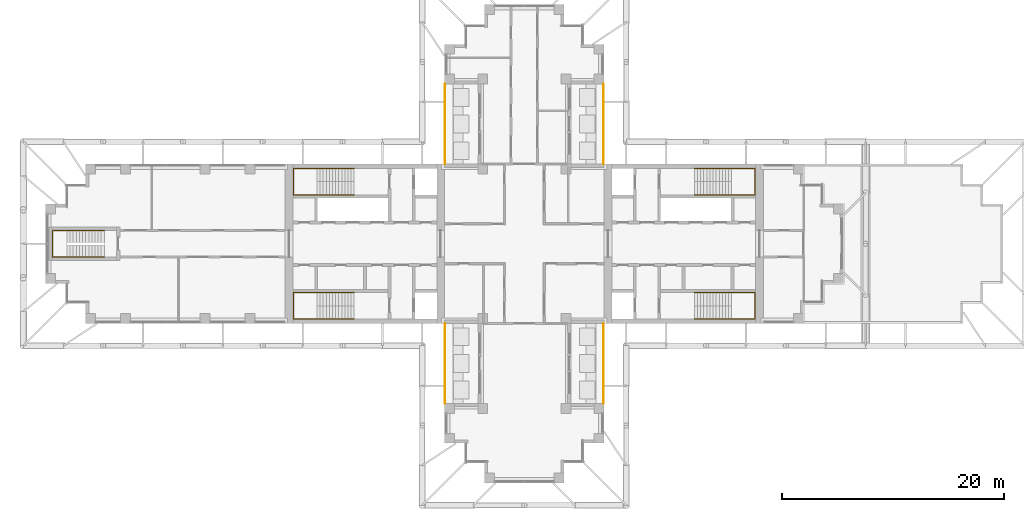
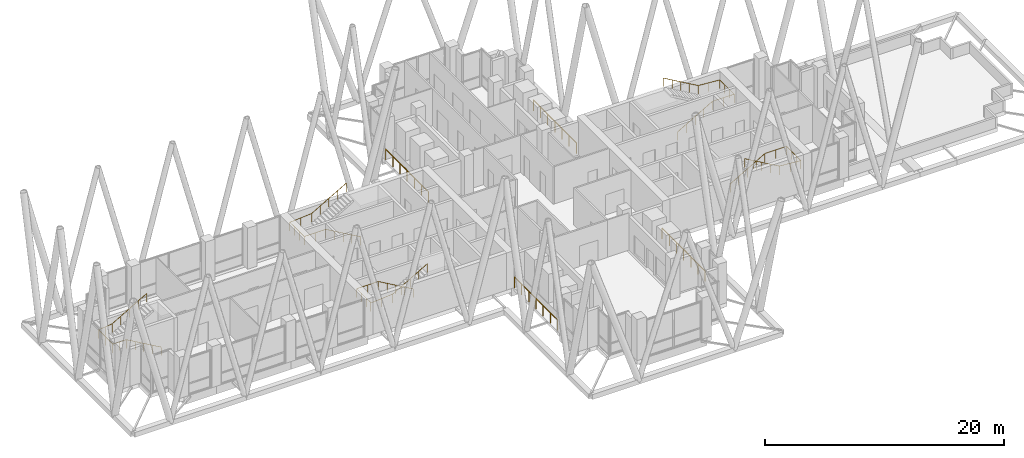
# One storey, part 18 of 19: 9 railings.
"""IFC4 building model written with IfcOpenShell, lengths in metres."""

import ifcopenshell
import ifcopenshell.guid

model = None  # the IFC model being written
_history = None  # IfcOwnerHistory: only IFC2X3 demands one
_inside = {}  # id of a spatial element -> (the spatial element, [elements in it])
_under = {}  # id of a project, library or spatial element -> (it, [spatial elements below it])
_declared = {}  # id of a project -> (the project, [libraries it declares])
_typed = {}  # id of a type object -> (the type object, [elements of that type])
_made_of = {}  # id of a material, layer set ... -> (it, [elements and type objects made of it])


def new_model(schema):
    """Start an empty IFC model of exactly this schema.

    Asked for "IFC4X3", IfcOpenShell would pick the latest addendum, in which some entities
    have other attributes; the version numbers below select the first issue.
    IFC2X3 requires an IfcOwnerHistory on every rooted entity: one is made here for all.
    """
    global model, _history
    if schema == "IFC4X3":
        model = ifcopenshell.file(schema_version=(4, 3, 0, 0))
    else:
        model = ifcopenshell.file(schema=schema)
    _inside.clear()
    _under.clear()
    _declared.clear()
    _typed.clear()
    _made_of.clear()
    _history = None
    if model.schema == "IFC2X3":
        org = make("IfcOrganization", Name="unknown")
        user = make(
            "IfcPersonAndOrganization",
            ThePerson=make("IfcPerson", FamilyName="unknown"),
            TheOrganization=org,
        )
        app = make(
            "IfcApplication",
            ApplicationDeveloper=org,
            Version="unknown",
            ApplicationFullName="unknown",
            ApplicationIdentifier="unknown",
        )
        _history = make(
            "IfcOwnerHistory",
            OwningUser=user,
            OwningApplication=app,
            ChangeAction="ADDED",
            CreationDate=0,
        )
    return model


def make(cls, **values):
    """One entity of the class cls with the attributes given. An attribute that is None is left unset."""
    return model.create_entity(
        cls, **{name: value for name, value in values.items() if value is not None}
    )


def rooted(cls, **values):
    """An entity with a GlobalId (a new one), such as an element, a storey or a relation."""
    return make(cls, GlobalId=ifcopenshell.guid.new(), OwnerHistory=_history, **values)


def si_unit(unit_type, name, prefix=None):
    """IfcSIUnit, for example si_unit("LENGTHUNIT", "METRE", prefix="MILLI")."""
    return make("IfcSIUnit", UnitType=unit_type, Prefix=prefix, Name=name)


def assignment(units):
    """IfcUnitAssignment: the units of a project."""
    return None if units is None else make("IfcUnitAssignment", Units=units)


def point(xyz):
    """IfcCartesianPoint."""
    return None if xyz is None else make("IfcCartesianPoint", Coordinates=xyz)


def direction(xyz):
    """IfcDirection."""
    return None if xyz is None else make("IfcDirection", DirectionRatios=xyz)


def frame(location, z_axis=None, x_axis=None):
    """IfcAxis2Placement3D, a coordinate frame: its origin and axes. An axis left out is left unset."""
    return make(
        "IfcAxis2Placement3D",
        Location=point(location),
        Axis=direction(z_axis),
        RefDirection=direction(x_axis),
    )


def frame_2d(location, x_axis=None):
    """IfcAxis2Placement2D, a coordinate frame in the plane: its origin and x axis."""
    return make(
        "IfcAxis2Placement2D", Location=point(location), RefDirection=direction(x_axis)
    )


def origin():
    """The frame at (0, 0, 0) with its axes left unset."""
    return frame((0.0, 0.0, 0.0))


def origin_2d():
    """The frame at (0, 0) in the plane with its x axis left unset."""
    return frame_2d((0.0, 0.0))


def place(relative_to, where):
    """IfcLocalPlacement: puts the frame where relative to a parent placement (None: the world)."""
    return make(
        "IfcLocalPlacement", PlacementRelTo=relative_to, RelativePlacement=where
    )


def context(
    kind, dimensions, precision=None, world=None, true_north=None, identifier=None
):
    """IfcGeometricRepresentationContext, for example the 3D "Model" context."""
    return make(
        "IfcGeometricRepresentationContext",
        ContextIdentifier=identifier,
        ContextType=kind,
        CoordinateSpaceDimension=dimensions,
        Precision=precision,
        WorldCoordinateSystem=world,
        TrueNorth=true_north,
    )


def subcontext(parent, identifier, kind, view, scale=None):
    """IfcGeometricRepresentationSubContext, for example "Body" below "Model"."""
    return make(
        "IfcGeometricRepresentationSubContext",
        ContextIdentifier=identifier,
        ContextType=kind,
        ParentContext=parent,
        TargetScale=scale,
        TargetView=view,
    )


def project(units=None, contexts=None):
    """IfcProject with its units and contexts."""
    return rooted(
        "IfcProject",
        Name="project",
        RepresentationContexts=contexts,
        UnitsInContext=assignment(units),
    )


def spatial(cls, under=None, at=None, **own):
    """A site, building, storey or space (cls), placed at a placement, below another one or the project."""
    s = rooted(cls, ObjectPlacement=at, **own)
    if under is not None:
        _under.setdefault(under.id(), (under, []))[1].append(s)
    return s


def profile(cls, at=None, kind="AREA", **sizes):
    """A parametric profile (cls). Its sizes go by their IFC names, for example OverallWidth=200.0."""
    return make(cls, ProfileType=kind, Position=at, **sizes)


def circle(**sizes):
    """IfcCircleProfileDef."""
    return profile("IfcCircleProfileDef", **sizes)


def extrude(swept, where, along, depth):
    """IfcExtrudedAreaSolid: the profile swept, set in the frame where, extruded along a direction by depth."""
    return make(
        "IfcExtrudedAreaSolid",
        SweptArea=swept,
        Position=where,
        ExtrudedDirection=direction(along),
        Depth=depth,
    )


def shape(context_of_items, identifier, shape_type, items):
    """IfcShapeRepresentation: the items that make up one representation, for example the "Body"."""
    return make(
        "IfcShapeRepresentation",
        ContextOfItems=context_of_items,
        RepresentationIdentifier=identifier,
        RepresentationType=shape_type,
        Items=items,
    )


def material(Name=None, Category=None):
    """IfcMaterial."""
    return make("IfcMaterial", Name=Name, Category=Category)


def made_of(thing, what):
    """Note that an element or type object is made of a material, layer set ...; save() writes the relation."""
    if what is not None:
        _made_of.setdefault(what.id(), (what, []))[1].append(thing)
    return thing


def type_object(cls, material=None, **own):
    """A type object (cls), such as IfcWallType, which elements share."""
    return made_of(rooted(cls, **own), material)


def element(
    cls,
    number,
    at=None,
    inside=None,
    cuts=None,
    type_object=None,
    material=None,
    context=None,
    identifier="Body",
    shape_type=None,
    held_by="IfcProductDefinitionShape",
    body=None,
    shapes=None,
    **own,
):
    """One element of the class cls, such as IfcWall. Its Tag is "e" and its number.

    at: its placement. inside: the storey or other place that contains it. cuts: it is an
    opening in that element (IfcRelVoidsElement). A single representation is given by context,
    identifier, shape_type and body (its items); several are given by shapes. held_by: the class
    of the entity that holds the representations. save() writes the other relations.
    """
    e = rooted(cls, Tag="e%d" % number, ObjectPlacement=at, **own)
    if body is not None:
        shapes = [shape(context, identifier, shape_type, body)]
    if shapes is not None:
        e.Representation = make(held_by, Representations=shapes)
    if inside is not None:
        _inside.setdefault(inside.id(), (inside, []))[1].append(e)
    if cuts is not None:
        rooted(
            "IfcRelVoidsElement", RelatingBuildingElement=cuts, RelatedOpeningElement=e
        )
    if type_object is not None:
        _typed.setdefault(type_object.id(), (type_object, []))[1].append(e)
    return made_of(e, material)


def aggregate(whole, parts):
    """IfcRelAggregates: a whole, such as a stair, and the parts it consists of."""
    return rooted("IfcRelAggregates", RelatingObject=whole, RelatedObjects=parts)


def save(model, path):
    """Write the relations noted so far, then the file.

    IfcRelAggregates (storeys below a building ...), IfcRelContainedInSpatialStructure (elements
    in a storey), IfcRelDefinesByType, IfcRelAssociatesMaterial and IfcRelDeclares: one each for
    every whole, place, type object, material and project.
    """
    for whole, parts in _under.values():
        aggregate(whole, parts)
    for where, things in _inside.values():
        rooted(
            "IfcRelContainedInSpatialStructure",
            RelatedElements=things,
            RelatingStructure=where,
        )
    for kind, things in _typed.values():
        rooted("IfcRelDefinesByType", RelatedObjects=things, RelatingType=kind)
    for what, things in _made_of.values():
        rooted("IfcRelAssociatesMaterial", RelatedObjects=things, RelatingMaterial=what)
    for by, libraries in _declared.values():
        rooted("IfcRelDeclares", RelatingContext=by, RelatedDefinitions=libraries)
    model.write(path)


model = new_model("IFC4")

# Units and contexts
model_context = context("Model", 3, precision=1e-05, world=origin(), true_north=direction((0.0, 1.0)))
body_context = subcontext(model_context, "Body", "Model", "MODEL_VIEW")
ifc_project = project(units=[si_unit("LENGTHUNIT", "METRE"), si_unit("AREAUNIT", "SQUARE_METRE"), si_unit("VOLUMEUNIT", "CUBIC_METRE"), si_unit("PLANEANGLEUNIT", "RADIAN"), si_unit("MASSUNIT", "GRAM", prefix="KILO")], contexts=[model_context])

# Site, building, storey
site_placement = place(None, origin())
site = spatial("IfcSite", under=ifc_project, at=site_placement, CompositionType="ELEMENT")
building_placement = place(site_placement, origin())
building = spatial("IfcBuilding", under=site, at=building_placement, Name="Fustian Cross Tower", CompositionType="ELEMENT")
storey_placement = place(building_placement, frame((0.0, 0.0, 166.5)))
storey = spatial("IfcBuildingStorey", under=building, at=storey_placement, Name="L52", CompositionType="ELEMENT", Elevation=166.5)

# Railings
ifc_material_1 = material(Name="Stainless steel and glass", Category="steel")
railing_type_1 = type_object("IfcRailingType", Name="GR1 BALCONY GUARD 1100", PredefinedType="GUARDRAIL", material=ifc_material_1)
for number, where, name in (
    (1, (7.14990234375, 7.199951171875, 0.0), "Balcony guard"),
    (2, (-7.14990234375, 7.199951171875, 0.0), "Balcony guard"),
    (3, (7.14990234375, -14.39990234375, 0.0), "Balcony guard"),
    (4, (-7.14990234375, -14.39990234375, 0.0), "Balcony guard"),
):
    element("IfcRailing", number, at=place(storey_placement, frame(where)), inside=storey, type_object=railing_type_1, Name=name, PredefinedType="GUARDRAIL", context=body_context, shape_type="SweptSolid", body=[
        extrude(circle(Radius=0.02392578125, at=origin_2d()), frame((0.0, 0.0, 1.076171875), z_axis=(0.0, 1.0, 0.0), x_axis=(-1.0, 0.0, 0.0)), (0.0, 0.0, 1.0), 7.199951171875),
        extrude(circle(Radius=0.02099609375, at=origin_2d()), origin(), (0.0, 0.0, 1.0), 1.052001953125),
        extrude(circle(Radius=0.02099609375, at=origin_2d()), frame((0.0, 1.199951171875, 0.0)), (0.0, 0.0, 1.0), 1.052001953125),
        extrude(circle(Radius=0.02099609375, at=origin_2d()), frame((0.0, 2.39990234375, 0.0)), (0.0, 0.0, 1.0), 1.052001953125),
        extrude(circle(Radius=0.02099609375, at=origin_2d()), frame((0.0, 3.60009765625, 0.0)), (0.0, 0.0, 1.0), 1.052001953125),
        extrude(circle(Radius=0.02099609375, at=origin_2d()), frame((0.0, 4.800048828125, 0.0)), (0.0, 0.0, 1.0), 1.052001953125),
        extrude(circle(Radius=0.02099609375, at=origin_2d()), frame((0.0, 6.0, 0.0)), (0.0, 0.0, 1.0), 1.052001953125),
        extrude(circle(Radius=0.02099609375, at=origin_2d()), frame((0.0, 7.199951171875, 0.0)), (0.0, 0.0, 1.0), 1.052001953125),
    ])
ifc_material_2 = material(Name="Stainless steel", Category="steel")
railing_type_2 = type_object("IfcRailingType", Name="STAIR HANDRAIL", PredefinedType="HANDRAIL", material=ifc_material_2)
railing_1_placement = place(storey_placement, frame((15.35009765625, 4.39990234375, 0.16162109375)))
element("IfcRailing", 5, at=railing_1_placement, inside=storey, type_object=railing_type_2, Name="Stair ST1 handrail 1", PredefinedType="HANDRAIL", context=body_context, shape_type="SweptSolid", body=[
    extrude(circle(Radius=0.02490234375, at=origin_2d()), frame((0.0, 0.0, 0.875), z_axis=(0.866175107563, 0.0, 0.499740615757), x_axis=(0.0, 1.0, 0.0)), (0.0, 0.0, 1.0), 3.87890625),
    extrude(circle(Radius=0.02490234375, at=origin_2d()), frame((3.35986328125, 0.0, 2.8134765625), z_axis=(1.0, 0.0, 0.0), x_axis=(0.0, 1.0, 0.0)), (0.0, 0.0, 1.0), 2.10009765625),
    extrude(circle(Radius=0.02490234375, at=origin_2d()), frame((5.4599609375, 0.0, 2.8134765625), z_axis=(0.0, 1.0, 0.0), x_axis=(-1.0, 0.0, 0.0)), (0.0, 0.0, 1.0), 2.400146484375),
    extrude(circle(Radius=0.02490234375, at=origin_2d()), frame((5.4599609375, 2.400146484375, 2.8134765625), z_axis=(-0.997060618739, 0.0, 0.076616725062), x_axis=(0.0, -1.0, 0.0)), (0.0, 0.0, 1.0), 2.106201171875),
    extrude(circle(Radius=0.02490234375, at=origin_2d()), frame((3.35986328125, 2.400146484375, 2.974609375), z_axis=(-0.866175107563, 0.0, 0.499740615757), x_axis=(0.0, -1.0, 0.0)), (0.0, 0.0, 1.0), 3.87890625),
    extrude(circle(Radius=0.02001953125, at=origin_2d()), origin(), (0.0, 0.0, 1.0), 0.849853515625),
    extrude(circle(Radius=0.02001953125, at=origin_2d()), frame((0.83984375, 0.0, 0.484619140625)), (0.0, 0.0, 1.0), 0.849853515625),
    extrude(circle(Radius=0.02001953125, at=origin_2d()), frame((1.679931640625, 0.0, 0.96923828125)), (0.0, 0.0, 1.0), 0.849853515625),
    extrude(circle(Radius=0.02001953125, at=origin_2d()), frame((2.52001953125, 0.0, 1.453857421875)), (0.0, 0.0, 1.0), 0.849853515625),
    extrude(circle(Radius=0.02001953125, at=origin_2d()), frame((3.35986328125, 0.0, 1.9384765625)), (0.0, 0.0, 1.0), 0.849853515625),
    extrude(circle(Radius=0.02001953125, at=origin_2d()), frame((4.409912109375, 0.0, 1.9384765625)), (0.0, 0.0, 1.0), 0.849853515625),
    extrude(circle(Radius=0.02001953125, at=origin_2d()), frame((5.4599609375, 0.0, 1.9384765625)), (0.0, 0.0, 1.0), 0.849853515625),
    extrude(circle(Radius=0.02001953125, at=origin_2d()), frame((5.4599609375, 0.800048828125, 1.9384765625)), (0.0, 0.0, 1.0), 0.849853515625),
    extrude(circle(Radius=0.02001953125, at=origin_2d()), frame((5.4599609375, 1.60009765625, 1.9384765625)), (0.0, 0.0, 1.0), 0.849853515625),
    extrude(circle(Radius=0.02001953125, at=origin_2d()), frame((5.4599609375, 2.400146484375, 1.9384765625)), (0.0, 0.0, 1.0), 0.849853515625),
    extrude(circle(Radius=0.02001953125, at=origin_2d()), frame((4.409912109375, 2.400146484375, 2.01904296875)), (0.0, 0.0, 1.0), 0.849853515625),
    extrude(circle(Radius=0.02001953125, at=origin_2d()), frame((3.35986328125, 2.400146484375, 2.099853515625)), (0.0, 0.0, 1.0), 0.849853515625),
    extrude(circle(Radius=0.02001953125, at=origin_2d()), frame((2.52001953125, 2.400146484375, 2.58447265625)), (0.0, 0.0, 1.0), 0.849853515625),
    extrude(circle(Radius=0.02001953125, at=origin_2d()), frame((1.679931640625, 2.400146484375, 3.069091796875)), (0.0, 0.0, 1.0), 0.849853515625),
    extrude(circle(Radius=0.02001953125, at=origin_2d()), frame((0.83984375, 2.400146484375, 3.5537109375)), (0.0, 0.0, 1.0), 0.849853515625),
    extrude(circle(Radius=0.02001953125, at=origin_2d()), frame((0.0, 2.400146484375, 4.038330078125)), (0.0, 0.0, 1.0), 0.849853515625),
])
railing_2_placement = place(storey_placement, frame((15.35009765625, -4.39990234375, 0.16162109375)))
element("IfcRailing", 6, at=railing_2_placement, inside=storey, type_object=railing_type_2, Name="Stair ST2 handrail 1", PredefinedType="HANDRAIL", context=body_context, shape_type="SweptSolid", body=[
    extrude(circle(Radius=0.02490234375, at=origin_2d()), frame((0.0, 0.0, 0.875), z_axis=(0.866175107563, 0.0, 0.499740615757), x_axis=(0.0, 1.0, 0.0)), (0.0, 0.0, 1.0), 3.87890625),
    extrude(circle(Radius=0.02490234375, at=origin_2d()), frame((3.35986328125, 0.0, 2.8134765625), z_axis=(1.0, 0.0, 0.0), x_axis=(0.0, 1.0, 0.0)), (0.0, 0.0, 1.0), 2.10009765625),
    extrude(circle(Radius=0.02490234375, at=origin_2d()), frame((5.4599609375, 0.0, 2.8134765625), z_axis=(0.0, -1.0, 0.0), x_axis=(1.0, 0.0, 0.0)), (0.0, 0.0, 1.0), 2.400146484375),
    extrude(circle(Radius=0.02490234375, at=origin_2d()), frame((5.4599609375, -2.400146484375, 2.8134765625), z_axis=(-0.997060618739, 0.0, 0.076616725062), x_axis=(0.0, -1.0, 0.0)), (0.0, 0.0, 1.0), 2.106201171875),
    extrude(circle(Radius=0.02490234375, at=origin_2d()), frame((3.35986328125, -2.400146484375, 2.974609375), z_axis=(-0.866175107563, 0.0, 0.499740615757), x_axis=(0.0, -1.0, 0.0)), (0.0, 0.0, 1.0), 3.87890625),
    extrude(circle(Radius=0.02001953125, at=origin_2d()), origin(), (0.0, 0.0, 1.0), 0.849853515625),
    extrude(circle(Radius=0.02001953125, at=origin_2d()), frame((0.83984375, 0.0, 0.484619140625)), (0.0, 0.0, 1.0), 0.849853515625),
    extrude(circle(Radius=0.02001953125, at=origin_2d()), frame((1.679931640625, 0.0, 0.96923828125)), (0.0, 0.0, 1.0), 0.849853515625),
    extrude(circle(Radius=0.02001953125, at=origin_2d()), frame((2.52001953125, 0.0, 1.453857421875)), (0.0, 0.0, 1.0), 0.849853515625),
    extrude(circle(Radius=0.02001953125, at=origin_2d()), frame((3.35986328125, 0.0, 1.9384765625)), (0.0, 0.0, 1.0), 0.849853515625),
    extrude(circle(Radius=0.02001953125, at=origin_2d()), frame((4.409912109375, 0.0, 1.9384765625)), (0.0, 0.0, 1.0), 0.849853515625),
    extrude(circle(Radius=0.02001953125, at=origin_2d()), frame((5.4599609375, 0.0, 1.9384765625)), (0.0, 0.0, 1.0), 0.849853515625),
    extrude(circle(Radius=0.02001953125, at=origin_2d()), frame((5.4599609375, -0.800048828125, 1.9384765625)), (0.0, 0.0, 1.0), 0.849853515625),
    extrude(circle(Radius=0.02001953125, at=origin_2d()), frame((5.4599609375, -1.60009765625, 1.9384765625)), (0.0, 0.0, 1.0), 0.849853515625),
    extrude(circle(Radius=0.02001953125, at=origin_2d()), frame((5.4599609375, -2.400146484375, 1.9384765625)), (0.0, 0.0, 1.0), 0.849853515625),
    extrude(circle(Radius=0.02001953125, at=origin_2d()), frame((4.409912109375, -2.400146484375, 2.01904296875)), (0.0, 0.0, 1.0), 0.849853515625),
    extrude(circle(Radius=0.02001953125, at=origin_2d()), frame((3.35986328125, -2.400146484375, 2.099853515625)), (0.0, 0.0, 1.0), 0.849853515625),
    extrude(circle(Radius=0.02001953125, at=origin_2d()), frame((2.52001953125, -2.400146484375, 2.58447265625)), (0.0, 0.0, 1.0), 0.849853515625),
    extrude(circle(Radius=0.02001953125, at=origin_2d()), frame((1.679931640625, -2.400146484375, 3.069091796875)), (0.0, 0.0, 1.0), 0.849853515625),
    extrude(circle(Radius=0.02001953125, at=origin_2d()), frame((0.83984375, -2.400146484375, 3.5537109375)), (0.0, 0.0, 1.0), 0.849853515625),
    extrude(circle(Radius=0.02001953125, at=origin_2d()), frame((0.0, -2.400146484375, 4.038330078125)), (0.0, 0.0, 1.0), 0.849853515625),
])
railing_3_placement = place(storey_placement, frame((-15.35009765625, 4.39990234375, 0.16162109375)))
element("IfcRailing", 7, at=railing_3_placement, inside=storey, type_object=railing_type_2, Name="Stair ST3 handrail 1", PredefinedType="HANDRAIL", context=body_context, shape_type="SweptSolid", body=[
    extrude(circle(Radius=0.02490234375, at=origin_2d()), frame((0.0, 0.0, 0.875), z_axis=(-0.866175107563, 0.0, 0.499740615757), x_axis=(0.0, -1.0, 0.0)), (0.0, 0.0, 1.0), 3.87890625),
    extrude(circle(Radius=0.02490234375, at=origin_2d()), frame((-3.35986328125, 0.0, 2.8134765625), z_axis=(-1.0, 0.0, 0.0), x_axis=(0.0, -1.0, 0.0)), (0.0, 0.0, 1.0), 2.10009765625),
    extrude(circle(Radius=0.02490234375, at=origin_2d()), frame((-5.4599609375, 0.0, 2.8134765625), z_axis=(0.0, 1.0, 0.0), x_axis=(-1.0, 0.0, 0.0)), (0.0, 0.0, 1.0), 2.400146484375),
    extrude(circle(Radius=0.02490234375, at=origin_2d()), frame((-5.4599609375, 2.400146484375, 2.8134765625), z_axis=(0.997060618739, 0.0, 0.076616725062), x_axis=(0.0, 1.0, 0.0)), (0.0, 0.0, 1.0), 2.106201171875),
    extrude(circle(Radius=0.02490234375, at=origin_2d()), frame((-3.35986328125, 2.400146484375, 2.974609375), z_axis=(0.866175107563, 0.0, 0.499740615757), x_axis=(0.0, 1.0, 0.0)), (0.0, 0.0, 1.0), 3.87890625),
    extrude(circle(Radius=0.02001953125, at=origin_2d()), origin(), (0.0, 0.0, 1.0), 0.849853515625),
    extrude(circle(Radius=0.02001953125, at=origin_2d()), frame((-0.83984375, 0.0, 0.484619140625)), (0.0, 0.0, 1.0), 0.849853515625),
    extrude(circle(Radius=0.02001953125, at=origin_2d()), frame((-1.679931640625, 0.0, 0.96923828125)), (0.0, 0.0, 1.0), 0.849853515625),
    extrude(circle(Radius=0.02001953125, at=origin_2d()), frame((-2.52001953125, 0.0, 1.453857421875)), (0.0, 0.0, 1.0), 0.849853515625),
    extrude(circle(Radius=0.02001953125, at=origin_2d()), frame((-3.35986328125, 0.0, 1.9384765625)), (0.0, 0.0, 1.0), 0.849853515625),
    extrude(circle(Radius=0.02001953125, at=origin_2d()), frame((-4.409912109375, 0.0, 1.9384765625)), (0.0, 0.0, 1.0), 0.849853515625),
    extrude(circle(Radius=0.02001953125, at=origin_2d()), frame((-5.4599609375, 0.0, 1.9384765625)), (0.0, 0.0, 1.0), 0.849853515625),
    extrude(circle(Radius=0.02001953125, at=origin_2d()), frame((-5.4599609375, 0.800048828125, 1.9384765625)), (0.0, 0.0, 1.0), 0.849853515625),
    extrude(circle(Radius=0.02001953125, at=origin_2d()), frame((-5.4599609375, 1.60009765625, 1.9384765625)), (0.0, 0.0, 1.0), 0.849853515625),
    extrude(circle(Radius=0.02001953125, at=origin_2d()), frame((-5.4599609375, 2.400146484375, 1.9384765625)), (0.0, 0.0, 1.0), 0.849853515625),
    extrude(circle(Radius=0.02001953125, at=origin_2d()), frame((-4.409912109375, 2.400146484375, 2.01904296875)), (0.0, 0.0, 1.0), 0.849853515625),
    extrude(circle(Radius=0.02001953125, at=origin_2d()), frame((-3.35986328125, 2.400146484375, 2.099853515625)), (0.0, 0.0, 1.0), 0.849853515625),
    extrude(circle(Radius=0.02001953125, at=origin_2d()), frame((-2.52001953125, 2.400146484375, 2.58447265625)), (0.0, 0.0, 1.0), 0.849853515625),
    extrude(circle(Radius=0.02001953125, at=origin_2d()), frame((-1.679931640625, 2.400146484375, 3.069091796875)), (0.0, 0.0, 1.0), 0.849853515625),
    extrude(circle(Radius=0.02001953125, at=origin_2d()), frame((-0.83984375, 2.400146484375, 3.5537109375)), (0.0, 0.0, 1.0), 0.849853515625),
    extrude(circle(Radius=0.02001953125, at=origin_2d()), frame((0.0, 2.400146484375, 4.038330078125)), (0.0, 0.0, 1.0), 0.849853515625),
])
railing_4_placement = place(storey_placement, frame((-15.35009765625, -4.39990234375, 0.16162109375)))
element("IfcRailing", 8, at=railing_4_placement, inside=storey, type_object=railing_type_2, Name="Stair ST4 handrail 1", PredefinedType="HANDRAIL", context=body_context, shape_type="SweptSolid", body=[
    extrude(circle(Radius=0.02490234375, at=origin_2d()), frame((0.0, 0.0, 0.875), z_axis=(-0.866175107563, 0.0, 0.499740615757), x_axis=(0.0, -1.0, 0.0)), (0.0, 0.0, 1.0), 3.87890625),
    extrude(circle(Radius=0.02490234375, at=origin_2d()), frame((-3.35986328125, 0.0, 2.8134765625), z_axis=(-1.0, 0.0, 0.0), x_axis=(0.0, -1.0, 0.0)), (0.0, 0.0, 1.0), 2.10009765625),
    extrude(circle(Radius=0.02490234375, at=origin_2d()), frame((-5.4599609375, 0.0, 2.8134765625), z_axis=(0.0, -1.0, 0.0), x_axis=(1.0, 0.0, 0.0)), (0.0, 0.0, 1.0), 2.400146484375),
    extrude(circle(Radius=0.02490234375, at=origin_2d()), frame((-5.4599609375, -2.400146484375, 2.8134765625), z_axis=(0.997060618739, 0.0, 0.076616725062), x_axis=(0.0, 1.0, 0.0)), (0.0, 0.0, 1.0), 2.106201171875),
    extrude(circle(Radius=0.02490234375, at=origin_2d()), frame((-3.35986328125, -2.400146484375, 2.974609375), z_axis=(0.866175107563, 0.0, 0.499740615757), x_axis=(0.0, 1.0, 0.0)), (0.0, 0.0, 1.0), 3.87890625),
    extrude(circle(Radius=0.02001953125, at=origin_2d()), origin(), (0.0, 0.0, 1.0), 0.849853515625),
    extrude(circle(Radius=0.02001953125, at=origin_2d()), frame((-0.83984375, 0.0, 0.484619140625)), (0.0, 0.0, 1.0), 0.849853515625),
    extrude(circle(Radius=0.02001953125, at=origin_2d()), frame((-1.679931640625, 0.0, 0.96923828125)), (0.0, 0.0, 1.0), 0.849853515625),
    extrude(circle(Radius=0.02001953125, at=origin_2d()), frame((-2.52001953125, 0.0, 1.453857421875)), (0.0, 0.0, 1.0), 0.849853515625),
    extrude(circle(Radius=0.02001953125, at=origin_2d()), frame((-3.35986328125, 0.0, 1.9384765625)), (0.0, 0.0, 1.0), 0.849853515625),
    extrude(circle(Radius=0.02001953125, at=origin_2d()), frame((-4.409912109375, 0.0, 1.9384765625)), (0.0, 0.0, 1.0), 0.849853515625),
    extrude(circle(Radius=0.02001953125, at=origin_2d()), frame((-5.4599609375, 0.0, 1.9384765625)), (0.0, 0.0, 1.0), 0.849853515625),
    extrude(circle(Radius=0.02001953125, at=origin_2d()), frame((-5.4599609375, -0.800048828125, 1.9384765625)), (0.0, 0.0, 1.0), 0.849853515625),
    extrude(circle(Radius=0.02001953125, at=origin_2d()), frame((-5.4599609375, -1.60009765625, 1.9384765625)), (0.0, 0.0, 1.0), 0.849853515625),
    extrude(circle(Radius=0.02001953125, at=origin_2d()), frame((-5.4599609375, -2.400146484375, 1.9384765625)), (0.0, 0.0, 1.0), 0.849853515625),
    extrude(circle(Radius=0.02001953125, at=origin_2d()), frame((-4.409912109375, -2.400146484375, 2.01904296875)), (0.0, 0.0, 1.0), 0.849853515625),
    extrude(circle(Radius=0.02001953125, at=origin_2d()), frame((-3.35986328125, -2.400146484375, 2.099853515625)), (0.0, 0.0, 1.0), 0.849853515625),
    extrude(circle(Radius=0.02001953125, at=origin_2d()), frame((-2.52001953125, -2.400146484375, 2.58447265625)), (0.0, 0.0, 1.0), 0.849853515625),
    extrude(circle(Radius=0.02001953125, at=origin_2d()), frame((-1.679931640625, -2.400146484375, 3.069091796875)), (0.0, 0.0, 1.0), 0.849853515625),
    extrude(circle(Radius=0.02001953125, at=origin_2d()), frame((-0.83984375, -2.400146484375, 3.5537109375)), (0.0, 0.0, 1.0), 0.849853515625),
    extrude(circle(Radius=0.02001953125, at=origin_2d()), frame((0.0, -2.400146484375, 4.038330078125)), (0.0, 0.0, 1.0), 0.849853515625),
])
railing_5_placement = place(storey_placement, frame((-37.89990234375, -1.199951171875, 0.16162109375)))
element("IfcRailing", 9, at=railing_5_placement, inside=storey, type_object=railing_type_2, Name="Stair ST9 handrail 1", PredefinedType="HANDRAIL", context=body_context, shape_type="SweptSolid", body=[
    extrude(circle(Radius=0.02490234375, at=origin_2d()), frame((0.0, 0.0, 0.875), z_axis=(-0.866190824863, 0.0, 0.499713372768), x_axis=(0.0, -1.0, 0.0)), (0.0, 0.0, 1.0), 3.879150390625),
    extrude(circle(Radius=0.02490234375, at=origin_2d()), frame((-3.360107421875, 0.0, 2.8134765625), z_axis=(-1.0, 0.0, 0.0), x_axis=(0.0, -1.0, 0.0)), (0.0, 0.0, 1.0), 1.300048828125),
    extrude(circle(Radius=0.02490234375, at=origin_2d()), frame((-4.66015625, 0.0, 2.8134765625), z_axis=(0.0, 1.0, 0.0), x_axis=(-1.0, 0.0, 0.0)), (0.0, 0.0, 1.0), 2.39990234375),
    extrude(circle(Radius=0.02490234375, at=origin_2d()), frame((-4.66015625, 2.39990234375, 2.8134765625), z_axis=(0.992383597412, 0.0, 0.123186020261), x_axis=(0.0, 1.0, 0.0)), (0.0, 0.0, 1.0), 1.31005859375),
    extrude(circle(Radius=0.02490234375, at=origin_2d()), frame((-3.360107421875, 2.39990234375, 2.974609375), z_axis=(0.866190824863, 0.0, 0.499713372768), x_axis=(0.0, 1.0, 0.0)), (0.0, 0.0, 1.0), 3.879150390625),
    extrude(circle(Radius=0.02001953125, at=origin_2d()), origin(), (0.0, 0.0, 1.0), 0.849853515625),
    extrude(circle(Radius=0.02001953125, at=origin_2d()), frame((-0.840087890625, 0.0, 0.484619140625)), (0.0, 0.0, 1.0), 0.849853515625),
    extrude(circle(Radius=0.02001953125, at=origin_2d()), frame((-1.68017578125, 0.0, 0.96923828125)), (0.0, 0.0, 1.0), 0.849853515625),
    extrude(circle(Radius=0.02001953125, at=origin_2d()), frame((-2.52001953125, 0.0, 1.453857421875)), (0.0, 0.0, 1.0), 0.849853515625),
    extrude(circle(Radius=0.02001953125, at=origin_2d()), frame((-3.360107421875, 0.0, 1.9384765625)), (0.0, 0.0, 1.0), 0.849853515625),
    extrude(circle(Radius=0.02001953125, at=origin_2d()), frame((-4.01025390625, 0.0, 1.9384765625)), (0.0, 0.0, 1.0), 0.849853515625),
    extrude(circle(Radius=0.02001953125, at=origin_2d()), frame((-4.66015625, 0.0, 1.9384765625)), (0.0, 0.0, 1.0), 0.849853515625),
    extrude(circle(Radius=0.02001953125, at=origin_2d()), frame((-4.66015625, 1.199951171875, 1.9384765625)), (0.0, 0.0, 1.0), 0.849853515625),
    extrude(circle(Radius=0.02001953125, at=origin_2d()), frame((-4.66015625, 2.39990234375, 1.9384765625)), (0.0, 0.0, 1.0), 0.849853515625),
    extrude(circle(Radius=0.02001953125, at=origin_2d()), frame((-4.01025390625, 2.39990234375, 2.01904296875)), (0.0, 0.0, 1.0), 0.849853515625),
    extrude(circle(Radius=0.02001953125, at=origin_2d()), frame((-3.360107421875, 2.39990234375, 2.099853515625)), (0.0, 0.0, 1.0), 0.849853515625),
    extrude(circle(Radius=0.02001953125, at=origin_2d()), frame((-2.52001953125, 2.39990234375, 2.58447265625)), (0.0, 0.0, 1.0), 0.849853515625),
    extrude(circle(Radius=0.02001953125, at=origin_2d()), frame((-1.68017578125, 2.39990234375, 3.069091796875)), (0.0, 0.0, 1.0), 0.849853515625),
    extrude(circle(Radius=0.02001953125, at=origin_2d()), frame((-0.840087890625, 2.39990234375, 3.5537109375)), (0.0, 0.0, 1.0), 0.849853515625),
    extrude(circle(Radius=0.02001953125, at=origin_2d()), frame((0.0, 2.39990234375, 4.038330078125)), (0.0, 0.0, 1.0), 0.849853515625),
])

save(model, "model.ifc")
